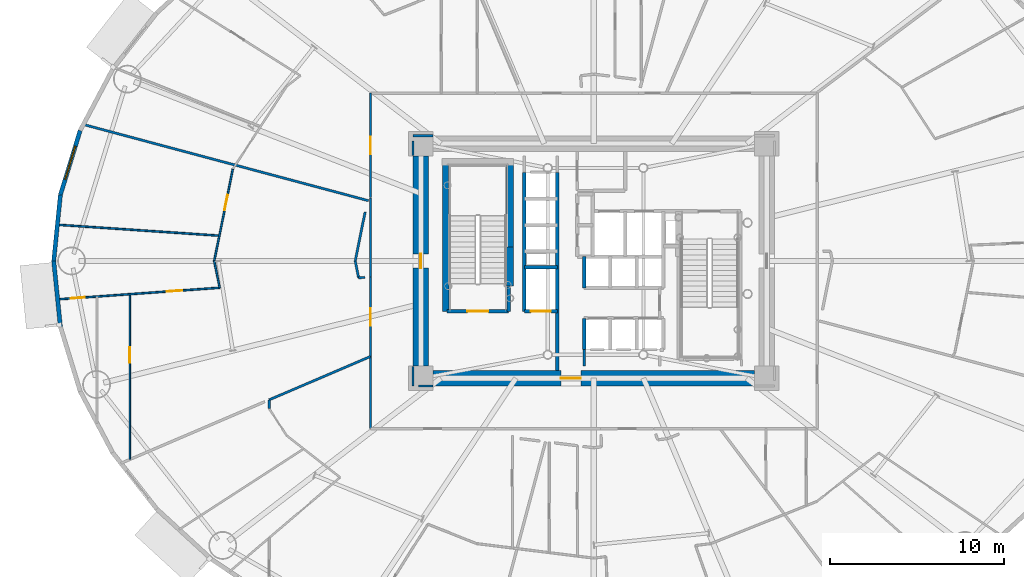
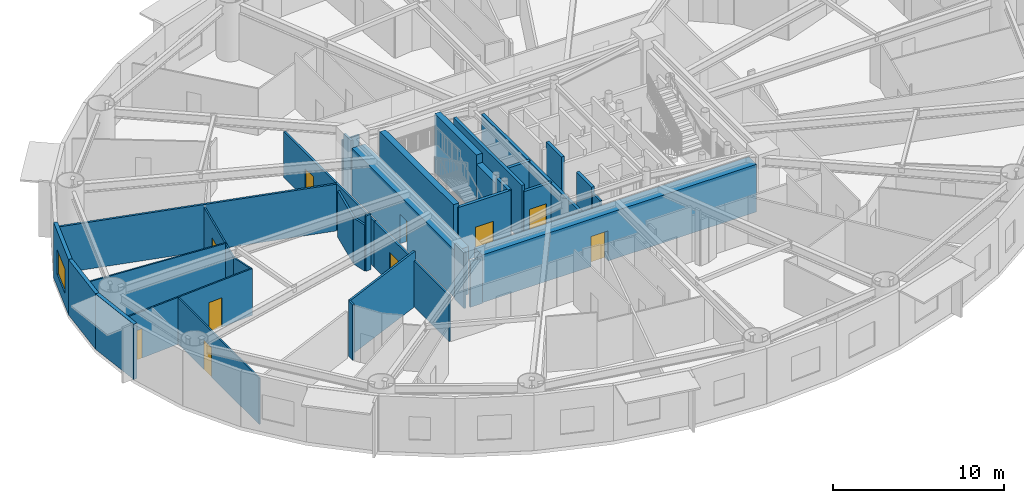
# One storey, part 11 of 24: 35 walls, 10 doors, 1 window, 11 openings.
"""IFC4 building model written with IfcOpenShell, lengths in metres."""

from ifc_helpers import new_model, si_unit, direction, frame, frame_2d, origin, origin_2d, place, context, subcontext, project, spatial, rectangle, extrude, source, transform, mapped, material, layer, layer_set, type_object, element, fill, save


model = new_model("IFC4")

# Units and contexts
model_context = context("Model", 3, precision=1e-05, world=origin(), true_north=direction((0.0, 1.0)))
body_context = subcontext(model_context, "Body", "Model", "MODEL_VIEW")
ifc_project = project(units=[si_unit("LENGTHUNIT", "METRE"), si_unit("AREAUNIT", "SQUARE_METRE"), si_unit("VOLUMEUNIT", "CUBIC_METRE"), si_unit("PLANEANGLEUNIT", "RADIAN"), si_unit("MASSUNIT", "GRAM", prefix="KILO")], contexts=[model_context])

# Site, building, storey
site_placement = place(None, origin())
site = spatial("IfcSite", under=ifc_project, at=site_placement, CompositionType="ELEMENT")
building_placement = place(site_placement, origin())
building = spatial("IfcBuilding", under=site, at=building_placement, Name="Linh Dai School and Residence Tower", CompositionType="ELEMENT")
storey_placement = place(building_placement, frame((0.0, 0.0, 74.39990234375)))
storey = spatial("IfcBuildingStorey", under=building, at=storey_placement, Name="L17", CompositionType="ELEMENT", Elevation=74.39990234375)

# Wall, opening, window
ifc_material_1 = material(Name="Precast Concrete B45 (C35/45)", Category="concrete")
ifc_layer_1 = layer(ifc_material_1, 0.239990234375)
ifc_layer_set_1 = layer_set([ifc_layer_1], Name="Precast Concrete B45 (C35/45)")
wall_type_1 = type_object("IfcWallType", Name="EW-TC-240", PredefinedType="SOLIDWALL", material=ifc_layer_set_1)
wall_1_placement = place(storey_placement, frame((5.306640625, 30.796875, 0.0), z_axis=(0.0, 0.0, 1.0), x_axis=(0.293111631758, 0.956078224482, 0.0)))
wall_1 = element("IfcWall", 1, at=wall_1_placement, inside=storey, type_object=wall_type_1, Name="L17 Terracotta Exterior Wall 19", PredefinedType="SOLIDWALL", context=body_context, shape_type="SweptSolid", body=[
    extrude(rectangle(XDim=3.874755859375, YDim=0.239990234375, at=frame_2d((1.9375, 0.0))), origin(), (0.0, 0.0, 1.0), 3.9501953125),
])
opening_1_placement = place(wall_1_placement, frame((0.9375, 0.0, 0.89990234375)))
opening_1 = element("IfcOpeningElement", 2, at=opening_1_placement, cuts=wall_1, Name="Opening W1", PredefinedType="OPENING", context=body_context, shape_type="SweptSolid", body=[
    extrude(rectangle(XDim=2.0, YDim=1.75, at=origin_2d()), frame((1.0, 0.1298828125, 0.875), z_axis=(0.0, -1.0, 0.0), x_axis=(1.0, 0.0, 0.0)), (0.0, 0.0, 1.0), 0.260009765625),
])
ifc_material_2 = material(Name="Double Low-E Insulated Glazing", Category="glass")
window_type = type_object("IfcWindowType", Name="WN-RES-2000x1750", PartitioningType="DOUBLE_PANEL_VERTICAL", PredefinedType="WINDOW", material=ifc_material_2)
shared_shape_1 = source(origin(), body_context, "Body", "SweptSolid", [
    extrude(rectangle(XDim=2.0, YDim=1.75, at=origin_2d()), frame((1.0, 0.030029296875, 0.875), z_axis=(0.0, -1.0, 0.0), x_axis=(1.0, 0.0, 0.0)), (0.0, 0.0, 1.0), 0.06005859375),
])
window_placement = place(opening_1_placement, origin())
window = element("IfcWindow", 3, at=window_placement, inside=storey, type_object=window_type, Name="L17 Exterior Window 19.1", OverallHeight=1.75, OverallWidth=2.0, PartitioningType="DOUBLE_PANEL_VERTICAL", PredefinedType="WINDOW", context=body_context, shape_type="MappedRepresentation", body=[
    mapped(shared_shape_1, transform((0.0, 0.0, 0.0), x_axis=(1.0, 0.0, 0.0), y_axis=(0.0, 1.0, 0.0), z_axis=(0.0, 0.0, 1.0), scale=1.0)),
])
fill(opening_1, window)

# Walls
for number, where, z_axis, x_axis, name in (
    (4, (4.925048828125, 27.0, 0.0), (0.0, 0.0, 1.0), (0.099997795174, 0.994987658698, 0.0), "L17 Terracotta Exterior Wall 20"),
    (5, (5.306640625, 23.203125, 0.0), (0.0, 0.0, 1.0), (-0.099997795174, 0.994987658698, 0.0), "L17 Terracotta Exterior Wall 21"),
):
    element("IfcWall", number, at=place(storey_placement, frame(where, z_axis=z_axis, x_axis=x_axis)), inside=storey, type_object=wall_type_1, Name=name, PredefinedType="SOLIDWALL", context=body_context, shape_type="SweptSolid", body=[
        extrude(rectangle(XDim=3.81591796875, YDim=0.239990234375, at=frame_2d((1.907958984375, 0.0))), origin(), (0.0, 0.0, 1.0), 3.9501953125),
    ])
ifc_material_3 = material(Name="Autoclaved Aerated Concrete Blockwork", Category="masonry")
ifc_layer_2 = layer(ifc_material_3, 0.135009765625)
ifc_layer_set_2 = layer_set([ifc_layer_2], Name="Autoclaved Aerated Concrete Blockwork")
wall_type_2 = type_object("IfcWallType", Name="IW-CORR-135-EI90", PredefinedType="PARTITIONING", material=ifc_layer_set_2)
wall_2_placement = place(storey_placement, frame((6.623046875, 34.853515625, 0.0), z_axis=(0.0, 0.0, 1.0), x_axis=(0.966073053026, -0.258268961003, 0.0)))
element("IfcWall", 6, at=wall_2_placement, inside=storey, type_object=wall_type_2, Name="L17 Interior Partition Wall 003", PredefinedType="PARTITIONING", context=body_context, shape_type="SweptSolid", body=[
    extrude(rectangle(XDim=16.99072265625, YDim=0.135009765625, at=frame_2d((8.495361328125, 0.0))), origin(), (0.0, 0.0, 1.0), 3.335205078125),
])
wall_3_placement = place(storey_placement, frame((17.3193359375, 19.007080078125, 0.0), z_axis=(0.0, 0.0, 1.0), x_axis=(0.919369884618, 0.393394223721, 0.0)))
element("IfcWall", 7, at=wall_3_placement, inside=storey, type_object=wall_type_2, Name="L17 Interior Partition Wall 016", PredefinedType="PARTITIONING", context=body_context, shape_type="SweptSolid", body=[
    extrude(rectangle(XDim=6.341796875, YDim=0.135009765625, at=frame_2d((3.1708984375, 0.0))), origin(), (0.0, 0.0, 1.0), 3.9501953125),
])

# Wall, opening, door
wall_4_placement = place(storey_placement, frame((23.14990234375, 17.35009765625, 0.0), z_axis=(0.0, 0.0, 1.0), x_axis=(0.0, 1.0, 0.0)))
wall_4 = element("IfcWall", 8, at=wall_4_placement, inside=storey, type_object=wall_type_2, Name="L17 Interior Partition Wall 022", PredefinedType="PARTITIONING", context=body_context, shape_type="SweptSolid", body=[
    extrude(rectangle(XDim=8.72900390625, YDim=0.135009765625, at=frame_2d((4.364501953125, 0.0))), origin(), (0.0, 0.0, 1.0), 3.28515625),
])
opening_2_placement = place(wall_4_placement, frame((5.920654296875, 0.0, 0.0)))
opening_2 = element("IfcOpeningElement", 9, at=opening_2_placement, cuts=wall_4, Name="Opening D03", PredefinedType="OPENING", context=body_context, shape_type="SweptSolid", body=[
    extrude(rectangle(XDim=1.0, YDim=2.14990234375, at=origin_2d()), frame((0.5, 0.07763671875, 1.074951171875), z_axis=(0.0, -1.0, 0.0), x_axis=(1.0, 0.0, 0.0)), (0.0, 0.0, 1.0), 0.155029296875),
])
ifc_material_4 = material(Name="Fire-Rated Solid Timber Entrance Door", Category="wood")
door_type_1 = type_object("IfcDoorType", Name="DR-FLAT-1000x2150-FD60S", OperationType="NOTDEFINED", PredefinedType="DOOR", material=ifc_material_4)
shared_shape_2 = source(origin(), body_context, "Body", "SweptSolid", [
    extrude(rectangle(XDim=1.0, YDim=2.14990234375, at=origin_2d()), frame((0.5, 0.02490234375, 1.074951171875), z_axis=(0.0, -1.0, 0.0), x_axis=(1.0, 0.0, 0.0)), (0.0, 0.0, 1.0), 0.050048828125),
])
door_1_placement = place(opening_2_placement, origin())
door_1 = element("IfcDoor", 10, at=door_1_placement, inside=storey, type_object=door_type_1, Name="L17 U1703 Apartment Entrance Door", OperationType="SINGLE_SWING_LEFT", OverallHeight=2.14990234375, OverallWidth=1.0, PredefinedType="DOOR", context=body_context, shape_type="MappedRepresentation", body=[
    mapped(shared_shape_2, transform((0.0, 0.0, 0.0), x_axis=(1.0, 0.0, 0.0), y_axis=(0.0, 1.0, 0.0), z_axis=(0.0, 0.0, 1.0), scale=1.0)),
])
fill(opening_2, door_1)

wall_5_placement = place(storey_placement, frame((23.14990234375, 30.638427734375, 0.0), z_axis=(0.0, 0.0, 1.0), x_axis=(0.0, 1.0, 0.0)))
wall_5 = element("IfcWall", 11, at=wall_5_placement, inside=storey, type_object=wall_type_2, Name="L17 Interior Partition Wall 024", PredefinedType="PARTITIONING", context=body_context, shape_type="SweptSolid", body=[
    extrude(rectangle(XDim=6.011474609375, YDim=0.135009765625, at=frame_2d((3.005859375, 0.0))), origin(), (0.0, 0.0, 1.0), 3.28515625),
])
opening_3_placement = place(wall_5_placement, frame((2.505859375, 0.0, 0.0)))
opening_3 = element("IfcOpeningElement", 12, at=opening_3_placement, cuts=wall_5, Name="Opening D03", PredefinedType="OPENING", context=body_context, shape_type="SweptSolid", body=[
    extrude(rectangle(XDim=1.0, YDim=2.14990234375, at=origin_2d()), frame((0.5, 0.07763671875, 1.074951171875), z_axis=(0.0, -1.0, 0.0), x_axis=(1.0, 0.0, 0.0)), (0.0, 0.0, 1.0), 0.155029296875),
])
door_2_placement = place(opening_3_placement, origin())
door_2 = element("IfcDoor", 13, at=door_2_placement, inside=storey, type_object=door_type_1, Name="L17 U1702 Apartment Entrance Door", OperationType="SINGLE_SWING_LEFT", OverallHeight=2.14990234375, OverallWidth=1.0, PredefinedType="DOOR", context=body_context, shape_type="MappedRepresentation", body=[
    mapped(shared_shape_2, transform((0.0, 0.0, 0.0), x_axis=(1.0, 0.0, 0.0), y_axis=(0.0, 1.0, 0.0), z_axis=(0.0, 0.0, 1.0), scale=1.0)),
])
fill(opening_3, door_2)

# Walls
wall_6_placement = place(storey_placement, frame((35.449951171875, 21.889892578125, 0.0), z_axis=(0.0, 0.0, 1.0), x_axis=(0.0, -1.0, 0.0)))
element("IfcWall", 14, at=wall_6_placement, inside=storey, type_object=wall_type_2, Name="L17 Interior Partition Wall 119", PredefinedType="PARTITIONING", context=body_context, shape_type="SweptSolid", body=[
    extrude(rectangle(XDim=0.929931640625, YDim=0.135009765625, at=frame_2d((0.46484375, 0.0))), origin(), (0.0, 0.0, 1.0), 3.53515625),
])
wall_7_placement = place(storey_placement, frame((23.14990234375, 26.089111328125, 0.0), z_axis=(0.0, 0.0, 1.0), x_axis=(0.0, 1.0, 0.0)))
element("IfcWall", 15, at=wall_7_placement, inside=storey, type_object=wall_type_2, Name="L17 Interior Partition Wall 126", PredefinedType="PARTITIONING", context=body_context, shape_type="SweptSolid", body=[
    extrude(rectangle(XDim=4.539306640625, YDim=0.135009765625, at=frame_2d((2.26953125, 0.0))), origin(), (0.0, 0.0, 1.0), 3.28515625),
])
wall_8_placement = place(storey_placement, frame((26.739990234375, 34.199951171875, 0.0), z_axis=(0.0, 0.0, 1.0), x_axis=(-1.0, 0.0, 0.0)))
element("IfcWall", 16, at=wall_8_placement, inside=storey, type_object=wall_type_2, Name="L17 Interior Partition Wall 128", PredefinedType="PARTITIONING", context=body_context, shape_type="SweptSolid", body=[
    extrude(rectangle(XDim=1.139892578125, YDim=0.135009765625, at=frame_2d((0.56982421875, 0.0))), origin(), (0.0, 0.0, 1.0), 3.28515625),
])
wall_9_placement = place(storey_placement, frame((25.60009765625, 33.892578125, 0.0), z_axis=(0.0, 0.0, 1.0), x_axis=(0.0, -1.0, 0.0)))
element("IfcWall", 17, at=wall_9_placement, inside=storey, type_object=wall_type_2, Name="L17 Interior Partition Wall 129", PredefinedType="PARTITIONING", context=body_context, shape_type="SweptSolid", body=[
    extrude(rectangle(XDim=0.83251953125, YDim=0.135009765625, at=frame_2d((0.416259765625, 0.0))), origin(), (0.0, 0.0, 1.0), 3.9501953125),
])
wall_10_placement = place(storey_placement, frame((25.60009765625, 20.93994140625, 0.0), z_axis=(0.0, 0.0, 1.0), x_axis=(0.0, -1.0, 0.0)))
element("IfcWall", 18, at=wall_10_placement, inside=storey, type_object=wall_type_2, Name="L17 Interior Partition Wall 130", PredefinedType="PARTITIONING", context=body_context, shape_type="SweptSolid", body=[
    extrude(rectangle(XDim=1.139892578125, YDim=0.135009765625, at=frame_2d((0.56982421875, 0.0))), origin(), (0.0, 0.0, 1.0), 3.9501953125),
])
wall_11_placement = place(storey_placement, frame((25.907470703125, 19.800048828125, 0.0), z_axis=(0.0, 0.0, 1.0), x_axis=(1.0, 0.0, 0.0)))
element("IfcWall", 19, at=wall_11_placement, inside=storey, type_object=wall_type_2, Name="L17 Interior Partition Wall 131", PredefinedType="PARTITIONING", context=body_context, shape_type="SweptSolid", body=[
    extrude(rectangle(XDim=0.83251953125, YDim=0.135009765625, at=frame_2d((0.416259765625, 0.0))), origin(), (0.0, 0.0, 1.0), 3.28515625),
])
wall_12_placement = place(storey_placement, frame((22.842529296875, 29.8203125, 0.0), z_axis=(0.0, 0.0, 1.0), x_axis=(-0.19828576171, -0.980144253007, 0.0)))
element("IfcWall", 20, at=wall_12_placement, inside=storey, type_object=wall_type_2, Name="L17 Interior Partition Wall 140", PredefinedType="PARTITIONING", context=body_context, shape_type="SweptSolid", body=[
    extrude(rectangle(XDim=2.87744140625, YDim=0.135009765625, at=frame_2d((1.438720703125, 0.0))), origin(), (0.0, 0.0, 1.0), 3.28515625),
])
wall_13_placement = place(storey_placement, frame((22.27197265625, 27.0, 0.0), z_axis=(0.0, 0.0, 1.0), x_axis=(0.1983933715, -0.980122477114, 0.0)))
element("IfcWall", 21, at=wall_13_placement, inside=storey, type_object=wall_type_2, Name="L17 Interior Partition Wall 141", PredefinedType="PARTITIONING", context=body_context, shape_type="SweptSolid", body=[
    extrude(rectangle(XDim=0.989501953125, YDim=0.135009765625, at=frame_2d((0.49462890625, 0.0))), origin(), (0.0, 0.0, 1.0), 3.28515625),
])
wall_14_placement = place(storey_placement, frame((22.46826171875, 26.0302734375, 0.0), z_axis=(0.0, 0.0, 1.0), x_axis=(0.997441222806, 0.071491307493, 0.0)))
element("IfcWall", 22, at=wall_14_placement, inside=storey, type_object=wall_type_2, Name="L17 Interior Partition Wall 142", PredefinedType="PARTITIONING", context=body_context, shape_type="SweptSolid", body=[
    extrude(rectangle(XDim=0.355224609375, YDim=0.135009765625, at=frame_2d((0.177734375, 0.0))), origin(), (0.0, 0.0, 1.0), 3.9501953125),
])
wall_15_placement = place(storey_placement, frame((17.3193359375, 18.503173828125, 0.0), z_axis=(0.0, 0.0, 1.0), x_axis=(0.0, 1.0, 0.0)))
element("IfcWall", 23, at=wall_15_placement, inside=storey, type_object=wall_type_2, Name="L17 Interior Partition Wall 143", PredefinedType="PARTITIONING", context=body_context, shape_type="SweptSolid", body=[
    extrude(rectangle(XDim=0.50390625, YDim=0.135009765625, at=frame_2d((0.251953125, 0.0))), origin(), (0.0, 0.0, 1.0), 3.9501953125),
])

# Wall, opening, door
ifc_material_5 = material(Name="Concrete B45 (C35/45)", Category="concrete")
ifc_layer_3 = layer(ifc_material_5, 0.199951171875)
ifc_layer_set_3 = layer_set([ifc_layer_3], Name="Concrete B45 (C35/45)")
wall_type_3 = type_object("IfcWallType", Name="IW-SHAFT-200-EI120", PredefinedType="PARTITIONING", material=ifc_layer_set_3)
wall_16_placement = place(storey_placement, frame((27.56005859375, 24.10009765625, 0.0), z_axis=(0.0, 0.0, 1.0), x_axis=(1.0, 0.0, 0.0)))
wall_16 = element("IfcWall", 24, at=wall_16_placement, inside=storey, type_object=wall_type_3, Name="L17 Interior Partition Wall 030", PredefinedType="PARTITIONING", context=body_context, shape_type="SweptSolid", body=[
    extrude(rectangle(XDim=3.5400390625, YDim=0.199951171875, at=frame_2d((1.77001953125, 0.0))), origin(), (0.0, 0.0, 1.0), 3.9501953125),
])
opening_4_placement = place(wall_16_placement, frame((1.169921875, 0.0, 0.0)))
opening_4 = element("IfcOpeningElement", 25, at=opening_4_placement, cuts=wall_16, Name="Opening D01", PredefinedType="OPENING", context=body_context, shape_type="SweptSolid", body=[
    extrude(rectangle(XDim=1.199951171875, YDim=2.14990234375, at=origin_2d()), frame((0.60009765625, 0.10986328125, 1.074951171875), z_axis=(0.0, -1.0, 0.0), x_axis=(1.0, 0.0, 0.0)), (0.0, 0.0, 1.0), 0.219970703125),
])
ifc_material_6 = material(Name="Fire-Rated Steel Door Leaf", Category="steel")
door_type_2 = type_object("IfcDoorType", Name="DR-STAIR-1200x2150-FD90S", OperationType="NOTDEFINED", PredefinedType="DOOR", material=ifc_material_6)
shared_shape_3 = source(origin(), body_context, "Body", "SweptSolid", [
    extrude(rectangle(XDim=1.199951171875, YDim=2.14990234375, at=origin_2d()), frame((0.60009765625, 0.02490234375, 1.074951171875), z_axis=(0.0, -1.0, 0.0), x_axis=(1.0, 0.0, 0.0)), (0.0, 0.0, 1.0), 0.050048828125),
])
door_3_placement = place(opening_4_placement, origin())
door_3 = element("IfcDoor", 26, at=door_3_placement, inside=storey, type_object=door_type_2, Name="L17 Core Smokeproof Exit Stair ST1 Door", OperationType="SINGLE_SWING_LEFT", OverallHeight=2.14990234375, OverallWidth=1.199951171875, PredefinedType="DOOR", context=body_context, shape_type="MappedRepresentation", body=[
    mapped(shared_shape_3, transform((0.0, 0.0, 0.0), x_axis=(1.0, 0.0, 0.0), y_axis=(0.0, 1.0, 0.0), z_axis=(0.0, 0.0, 1.0), scale=1.0)),
])
fill(opening_4, door_3)

# Walls
wall_17_placement = place(storey_placement, frame((31.10009765625, 24.10009765625, 0.0), z_axis=(0.0, 0.0, 1.0), x_axis=(0.0, 1.0, 0.0)))
element("IfcWall", 27, at=wall_17_placement, inside=storey, type_object=wall_type_3, Name="L17 Interior Partition Wall 034", PredefinedType="PARTITIONING", context=body_context, shape_type="SweptSolid", body=[
    extrude(rectangle(XDim=1.43994140625, YDim=0.199951171875, at=frame_2d((0.719970703125, 0.0))), origin(), (0.0, 0.0, 1.0), 3.9501953125),
])
wall_18_placement = place(storey_placement, frame((32.0, 24.10009765625, 0.0), z_axis=(0.0, 0.0, 1.0), x_axis=(0.0, 1.0, 0.0)))
element("IfcWall", 28, at=wall_18_placement, inside=storey, type_object=wall_type_3, Name="L17 Interior Partition Wall 037", PredefinedType="PARTITIONING", context=body_context, shape_type="SweptSolid", body=[
    extrude(rectangle(XDim=8.0, YDim=0.199951171875, at=frame_2d((4.0, 0.0))), origin(), (0.0, 0.0, 1.0), 3.9501953125),
])

# Wall, opening, door
wall_19_placement = place(storey_placement, frame((32.0, 24.10009765625, 0.0), z_axis=(0.0, 0.0, 1.0), x_axis=(1.0, 0.0, 0.0)))
wall_19 = element("IfcWall", 29, at=wall_19_placement, inside=storey, type_object=wall_type_3, Name="L17 Interior Partition Wall 038", PredefinedType="PARTITIONING", context=body_context, shape_type="SweptSolid", body=[
    extrude(rectangle(XDim=1.89990234375, YDim=0.199951171875, at=frame_2d((0.949951171875, 0.0))), origin(), (0.0, 0.0, 1.0), 3.53515625),
])
opening_5_placement = place(wall_19_placement, frame((0.375, 0.0, 0.0)))
opening_5 = element("IfcOpeningElement", 30, at=opening_5_placement, cuts=wall_19, Name="Opening LD-FF2", PredefinedType="OPENING", context=body_context, shape_type="SweptSolid", body=[
    extrude(rectangle(XDim=1.14990234375, YDim=2.14990234375, at=origin_2d()), frame((0.574951171875, 0.10986328125, 1.074951171875), z_axis=(0.0, -1.0, 0.0), x_axis=(1.0, 0.0, 0.0)), (0.0, 0.0, 1.0), 0.219970703125),
])
ifc_material_7 = material(Name="Fire-Rated Stainless Steel Firefighting Lift Door", Category="steel")
door_type_3 = type_object("IfcDoorType", Name="DR-LD-FF-1150x2150-FD120", OperationType="DOUBLE_DOOR_SLIDING", PredefinedType="USERDEFINED", material=ifc_material_7)
shared_shape_4 = source(origin(), body_context, "Body", "SweptSolid", [
    extrude(rectangle(XDim=1.14990234375, YDim=2.14990234375, at=origin_2d()), frame((0.574951171875, 0.02490234375, 1.074951171875), z_axis=(0.0, -1.0, 0.0), x_axis=(1.0, 0.0, 0.0)), (0.0, 0.0, 1.0), 0.050048828125),
])
door_4_placement = place(opening_5_placement, origin())
door_4 = element("IfcDoor", 31, at=door_4_placement, inside=storey, type_object=door_type_3, Name="L17 Lift FF2 Sliding Landing Door", ObjectType="LANDING DOOR", OperationType="DOUBLE_DOOR_SLIDING", OverallHeight=2.14990234375, OverallWidth=1.14990234375, PredefinedType="USERDEFINED", context=body_context, shape_type="MappedRepresentation", body=[
    mapped(shared_shape_4, transform((0.0, 0.0, 0.0), x_axis=(1.0, 0.0, 0.0), y_axis=(0.0, 1.0, 0.0), z_axis=(0.0, 0.0, 1.0), scale=1.0)),
])
fill(opening_5, door_4)

# Walls
wall_20_placement = place(storey_placement, frame((32.0, 26.64990234375, 0.0), z_axis=(0.0, 0.0, 1.0), x_axis=(1.0, 0.0, 0.0)))
element("IfcWall", 32, at=wall_20_placement, inside=storey, type_object=wall_type_3, Name="L17 Interior Partition Wall 039", PredefinedType="PARTITIONING", context=body_context, shape_type="SweptSolid", body=[
    extrude(rectangle(XDim=1.89990234375, YDim=0.199951171875, at=frame_2d((0.949951171875, 0.0))), origin(), (0.0, 0.0, 1.0), 3.53515625),
])
wall_21_placement = place(storey_placement, frame((33.89990234375, 20.699951171875, 0.0), z_axis=(0.0, 0.0, 1.0), x_axis=(0.0, 1.0, 0.0)))
element("IfcWall", 33, at=wall_21_placement, inside=storey, type_object=wall_type_3, Name="L17 Interior Partition Wall 044", PredefinedType="PARTITIONING", context=body_context, shape_type="SweptSolid", body=[
    extrude(rectangle(XDim=11.400146484375, YDim=0.199951171875, at=frame_2d((5.7001953125, 0.0))), origin(), (0.0, 0.0, 1.0), 3.53515625),
])
for number, where, z_axis, x_axis, name in (
    (34, (35.449951171875, 21.89990234375, 0.0), (0.0, 0.0, 1.0), (0.0, 1.0, 0.0), "L17 Interior Partition Wall 054"),
    (35, (35.449951171875, 25.449951171875, 0.0), (0.0, 0.0, 1.0), (0.0, 1.0, 0.0), "L17 Interior Partition Wall 056"),
):
    element("IfcWall", number, at=place(storey_placement, frame(where, z_axis=z_axis, x_axis=x_axis)), inside=storey, type_object=wall_type_3, Name=name, PredefinedType="PARTITIONING", context=body_context, shape_type="SweptSolid", body=[
        extrude(rectangle(XDim=1.800048828125, YDim=0.199951171875, at=frame_2d((0.89990234375, 0.0))), origin(), (0.0, 0.0, 1.0), 3.9501953125),
    ])
ifc_material_8 = material(Name="Gypsum Plasterboard Acoustic Stud Partition", Category="masonry")
ifc_layer_4 = layer(ifc_material_8, 0.10009765625)
ifc_layer_set_4 = layer_set([ifc_layer_4], Name="Gypsum Plasterboard Acoustic Stud Partition")
wall_type_4 = type_object("IfcWallType", Name="IW-UNIT-100", PredefinedType="PARTITIONING", material=ifc_layer_set_4)
wall_22_placement = place(storey_placement, frame((5.12939453125, 29.08251953125, 0.0), z_axis=(0.0, 0.0, 1.0), x_axis=(0.997731551972, -0.067318275369, 0.0)))
element("IfcWall", 36, at=wall_22_placement, inside=storey, type_object=wall_type_4, Name="L17 Interior Partition Wall 001", PredefinedType="PARTITIONING", context=body_context, shape_type="SweptSolid", body=[
    extrude(rectangle(XDim=9.345947265625, YDim=0.10009765625, at=frame_2d((4.6728515625, 0.0))), origin(), (0.0, 0.0, 1.0), 3.335205078125),
])

# Wall, openings, doors
wall_23_placement = place(storey_placement, frame((5.142333984375, 24.788818359375, 0.0), z_axis=(0.0, 0.0, 1.0), x_axis=(0.997443041409, 0.071465929957, 0.0)))
wall_23 = element("IfcWall", 37, at=wall_23_placement, inside=storey, type_object=wall_type_4, Name="L17 Interior Partition Wall 002", PredefinedType="PARTITIONING", context=body_context, shape_type="SweptSolid", body=[
    extrude(rectangle(XDim=9.353515625, YDim=0.10009765625, at=frame_2d((4.6767578125, 0.0))), origin(), (0.0, 0.0, 1.0), 3.335205078125),
])
opening_6_placement = place(wall_23_placement, frame((6.29345703125, 0.0, 0.0)))
opening_6 = element("IfcOpeningElement", 38, at=opening_6_placement, cuts=wall_23, Name="Opening D05", PredefinedType="OPENING", context=body_context, shape_type="SweptSolid", body=[
    extrude(rectangle(XDim=0.89990234375, YDim=2.10009765625, at=origin_2d()), frame((0.449951171875, 0.06005859375, 1.050048828125), z_axis=(0.0, -1.0, 0.0), x_axis=(1.0, 0.0, 0.0)), (0.0, 0.0, 1.0), 0.1201171875),
])
opening_7_placement = place(wall_23_placement, frame((0.750244140625, 0.0, 0.0)))
opening_7 = element("IfcOpeningElement", 39, at=opening_7_placement, cuts=wall_23, Name="Opening D06", PredefinedType="OPENING", context=body_context, shape_type="SweptSolid", body=[
    extrude(rectangle(XDim=0.820068359375, YDim=2.10009765625, at=origin_2d()), frame((0.41015625, 0.06005859375, 1.050048828125), z_axis=(0.0, -1.0, 0.0), x_axis=(1.0, 0.0, 0.0)), (0.0, 0.0, 1.0), 0.1201171875),
])
ifc_material_9 = material(Name="Moisture-Resistant Timber Bathroom Door", Category="wood")
door_type_4 = type_object("IfcDoorType", Name="DR-WET-820x2100", OperationType="NOTDEFINED", PredefinedType="DOOR", material=ifc_material_9)
shared_shape_5 = source(origin(), body_context, "Body", "SweptSolid", [
    extrude(rectangle(XDim=0.820068359375, YDim=2.10009765625, at=origin_2d()), frame((0.41015625, 0.02490234375, 1.050048828125), z_axis=(0.0, -1.0, 0.0), x_axis=(1.0, 0.0, 0.0)), (0.0, 0.0, 1.0), 0.050048828125),
])
door_5_placement = place(opening_7_placement, origin())
door_5 = element("IfcDoor", 40, at=door_5_placement, inside=storey, type_object=door_type_4, Name="L17 Apartment U1703 Bathroom 1 Door", OperationType="SINGLE_SWING_RIGHT", OverallHeight=2.10009765625, OverallWidth=0.820068359375, PredefinedType="DOOR", context=body_context, shape_type="MappedRepresentation", body=[
    mapped(shared_shape_5, transform((0.0, 0.0, 0.0), x_axis=(1.0, 0.0, 0.0), y_axis=(0.0, 1.0, 0.0), z_axis=(0.0, 0.0, 1.0), scale=1.0)),
])
fill(opening_7, door_5)
ifc_material_10 = material(Name="Engineered Timber Internal Door", Category="wood")
door_type_5 = type_object("IfcDoorType", Name="DR-INT-900x2100", OperationType="NOTDEFINED", PredefinedType="DOOR", material=ifc_material_10)
shared_shape_6 = source(origin(), body_context, "Body", "SweptSolid", [
    extrude(rectangle(XDim=0.89990234375, YDim=2.10009765625, at=origin_2d()), frame((0.449951171875, 0.02490234375, 1.050048828125), z_axis=(0.0, -1.0, 0.0), x_axis=(1.0, 0.0, 0.0)), (0.0, 0.0, 1.0), 0.050048828125),
])
door_6_placement = place(opening_6_placement, origin())
door_6 = element("IfcDoor", 41, at=door_6_placement, inside=storey, type_object=door_type_5, Name="L17 Apartment U1703 Study Door", OperationType="SINGLE_SWING_LEFT", OverallHeight=2.10009765625, OverallWidth=0.89990234375, PredefinedType="DOOR", context=body_context, shape_type="MappedRepresentation", body=[
    mapped(shared_shape_6, transform((0.0, 0.0, 0.0), x_axis=(1.0, 0.0, 0.0), y_axis=(0.0, 1.0, 0.0), z_axis=(0.0, 0.0, 1.0), scale=1.0)),
])
fill(opening_6, door_6)

# Wall, opening, door
wall_24_placement = place(storey_placement, frame((9.3046875, 15.577880859375, 0.0), z_axis=(0.0, 0.0, 1.0), x_axis=(0.0, 1.0, 0.0)))
wall_24 = element("IfcWall", 42, at=wall_24_placement, inside=storey, type_object=wall_type_4, Name="L17 Interior Partition Wall 007", PredefinedType="PARTITIONING", context=body_context, shape_type="SweptSolid", body=[
    extrude(rectangle(XDim=9.50927734375, YDim=0.10009765625, at=frame_2d((4.754638671875, 0.0))), origin(), (0.0, 0.0, 1.0), 3.28515625),
])
opening_8_placement = place(wall_24_placement, frame((5.559814453125, 0.0, 0.0)))
opening_8 = element("IfcOpeningElement", 43, at=opening_8_placement, cuts=wall_24, Name="Opening D05", PredefinedType="OPENING", context=body_context, shape_type="SweptSolid", body=[
    extrude(rectangle(XDim=0.89990234375, YDim=2.10009765625, at=origin_2d()), frame((0.449951171875, 0.06005859375, 1.050048828125), z_axis=(0.0, -1.0, 0.0), x_axis=(1.0, 0.0, 0.0)), (0.0, 0.0, 1.0), 0.1201171875),
])
door_7_placement = place(opening_8_placement, origin())
door_7 = element("IfcDoor", 44, at=door_7_placement, inside=storey, type_object=door_type_5, Name="L17 Apartment U1703 Kitchen Door", OperationType="SINGLE_SWING_LEFT", OverallHeight=2.10009765625, OverallWidth=0.89990234375, PredefinedType="DOOR", context=body_context, shape_type="MappedRepresentation", body=[
    mapped(shared_shape_6, transform((0.0, 0.0, 0.0), x_axis=(1.0, 0.0, 0.0), y_axis=(0.0, 1.0, 0.0), z_axis=(0.0, 0.0, 1.0), scale=1.0)),
])
fill(opening_8, door_7)

# Wall
wall_25_placement = place(storey_placement, frame((14.159912109375, 27.0, 0.0), z_axis=(0.0, 0.0, 1.0), x_axis=(0.198233557602, -0.980154812588, 0.0)))
element("IfcWall", 45, at=wall_25_placement, inside=storey, type_object=wall_type_4, Name="L17 Interior Partition Wall 010", PredefinedType="PARTITIONING", context=body_context, shape_type="SweptSolid", body=[
    extrude(rectangle(XDim=1.573974609375, YDim=0.10009765625, at=frame_2d((0.787109375, 0.0))), origin(), (0.0, 0.0, 1.0), 3.28515625),
])

# Wall, opening, door
wall_26_placement = place(storey_placement, frame((14.159912109375, 27.0, 0.0), z_axis=(0.0, 0.0, 1.0), x_axis=(0.198292702032, 0.980142848936, 0.0)))
wall_26 = element("IfcWall", 46, at=wall_26_placement, inside=storey, type_object=wall_type_4, Name="L17 Interior Partition Wall 011", PredefinedType="PARTITIONING", context=body_context, shape_type="SweptSolid", body=[
    extrude(rectangle(XDim=5.3916015625, YDim=0.10009765625, at=frame_2d((2.69580078125, 0.0))), origin(), (0.0, 0.0, 1.0), 3.28515625),
])
opening_9_placement = place(wall_26_placement, frame((2.96728515625, 0.0, 0.0)))
opening_9 = element("IfcOpeningElement", 47, at=opening_9_placement, cuts=wall_26, Name="Opening D05", PredefinedType="OPENING", context=body_context, shape_type="SweptSolid", body=[
    extrude(rectangle(XDim=0.89990234375, YDim=2.10009765625, at=origin_2d()), frame((0.449951171875, 0.06005859375, 1.050048828125), z_axis=(0.0, -1.0, 0.0), x_axis=(1.0, 0.0, 0.0)), (0.0, 0.0, 1.0), 0.1201171875),
])
door_8_placement = place(opening_9_placement, origin())
door_8 = element("IfcDoor", 48, at=door_8_placement, inside=storey, type_object=door_type_5, Name="L17 Apartment U1703 Principal Bedroom 1 Door", OperationType="SINGLE_SWING_RIGHT", OverallHeight=2.10009765625, OverallWidth=0.89990234375, PredefinedType="DOOR", context=body_context, shape_type="MappedRepresentation", body=[
    mapped(shared_shape_6, transform((0.0, 0.0, 0.0), x_axis=(1.0, 0.0, 0.0), y_axis=(0.0, 1.0, 0.0), z_axis=(0.0, 0.0, 1.0), scale=1.0)),
])
fill(opening_9, door_8)

# Walls
ifc_layer_5 = layer(ifc_material_5, 0.39990234375)
ifc_layer_set_5 = layer_set([ifc_layer_5], Name="Concrete B45 (C35/45)")
wall_type_5 = type_object("IfcWallType", Name="WL-CORE400", PredefinedType="SHEAR", material=ifc_layer_set_5)
wall_27_placement = place(storey_placement, frame((27.47998046875, 24.10009765625, 0.0), z_axis=(0.0, 0.0, 1.0), x_axis=(0.0, 1.0, 0.0)))
element("IfcWall", 49, at=wall_27_placement, inside=storey, type_object=wall_type_5, Name="L17 Core Stair ST1 Bearing Wall W", PredefinedType="SHEAR", context=body_context, shape_type="SweptSolid", body=[
    extrude(rectangle(XDim=8.599853515625, YDim=0.39990234375, at=frame_2d((4.2998046875, 0.0))), origin(), (0.0, 0.0, 1.0), 4.2001953125),
])
wall_28_placement = place(storey_placement, frame((31.179931640625, 27.800048828125, 0.0), z_axis=(0.0, 0.0, 1.0), x_axis=(0.0, 1.0, 0.0)))
element("IfcWall", 50, at=wall_28_placement, inside=storey, type_object=wall_type_5, Name="L17 Core Stair ST1 Bearing Wall E", PredefinedType="SHEAR", context=body_context, shape_type="SweptSolid", body=[
    extrude(rectangle(XDim=4.89990234375, YDim=0.39990234375, at=frame_2d((2.449951171875, 0.0))), origin(), (0.0, 0.0, 1.0), 4.2001953125),
])
wall_29_placement = place(storey_placement, frame((31.179931640625, 25.550048828125, 0.0), z_axis=(0.0, 0.0, 1.0), x_axis=(0.0, 1.0, 0.0)))
element("IfcWall", 51, at=wall_29_placement, inside=storey, type_object=wall_type_5, Name="L17 Internal Core Shear Wall IW", PredefinedType="SHEAR", context=body_context, shape_type="SweptSolid", body=[
    extrude(rectangle(XDim=2.25, YDim=0.39990234375, at=frame_2d((1.125, 0.0))), origin(), (0.0, 0.0, 1.0), 3.550048828125),
])

# Wall, opening, door
ifc_material_11 = material(Name="Concrete B60 (C50/60)", Category="concrete")
ifc_layer_6 = layer(ifc_material_11, 0.89990234375)
ifc_layer_set_6 = layer_set([ifc_layer_6], Name="Concrete B60 (C50/60)")
wall_type_6 = type_object("IfcWallType", Name="WL-CORE900", PredefinedType="SHEAR", material=ifc_layer_set_6)
wall_30_placement = place(storey_placement, frame((45.25, 20.25, 0.0), z_axis=(0.0, 0.0, 1.0), x_axis=(-1.0, 0.0, 0.0)))
wall_30 = element("IfcWall", 52, at=wall_30_placement, inside=storey, type_object=wall_type_6, Name="L17 Central Core Shear Wall S", PredefinedType="SHEAR", context=body_context, shape_type="SweptSolid", body=[
    extrude(rectangle(XDim=18.5, YDim=0.89990234375, at=frame_2d((9.25, 0.0))), origin(), (0.0, 0.0, 1.0), 3.400146484375),
])
opening_10_placement = place(wall_30_placement, frame((10.0, 0.0, 0.0)))
opening_10 = element("IfcOpeningElement", 53, at=opening_10_placement, cuts=wall_30, Name="Opening D02", PredefinedType="OPENING", context=body_context, shape_type="SweptSolid", body=[
    extrude(rectangle(XDim=1.14990234375, YDim=2.14990234375, at=origin_2d()), frame((0.574951171875, 0.4599609375, 1.074951171875), z_axis=(0.0, -1.0, 0.0), x_axis=(1.0, 0.0, 0.0)), (0.0, 0.0, 1.0), 0.919921875),
])
ifc_material_12 = material(Name="Fire-Rated Glazed Steel Lobby Door", Category="steel")
door_type_6 = type_object("IfcDoorType", Name="DR-LOBBY-1150x2150-FD90S", OperationType="NOTDEFINED", PredefinedType="DOOR", material=ifc_material_12)
shared_shape_7 = source(origin(), body_context, "Body", "SweptSolid", [
    extrude(rectangle(XDim=1.14990234375, YDim=2.14990234375, at=origin_2d()), frame((0.574951171875, 0.02490234375, 1.074951171875), z_axis=(0.0, -1.0, 0.0), x_axis=(1.0, 0.0, 0.0)), (0.0, 0.0, 1.0), 0.050048828125),
])
door_9_placement = place(opening_10_placement, origin())
door_9 = element("IfcDoor", 54, at=door_9_placement, inside=storey, type_object=door_type_6, Name="L17 Passenger Foyer Access Door", OperationType="SINGLE_SWING_RIGHT", OverallHeight=2.14990234375, OverallWidth=1.14990234375, PredefinedType="DOOR", context=body_context, shape_type="MappedRepresentation", body=[
    mapped(shared_shape_7, transform((0.0, 0.0, 0.0), x_axis=(1.0, 0.0, 0.0), y_axis=(0.0, 1.0, 0.0), z_axis=(0.0, 0.0, 1.0), scale=1.0)),
])
fill(opening_10, door_9)

wall_31_placement = place(storey_placement, frame((26.050048828125, 20.949951171875, 0.0), z_axis=(0.0, 0.0, 1.0), x_axis=(0.0, 1.0, 0.0)))
wall_31 = element("IfcWall", 55, at=wall_31_placement, inside=storey, type_object=wall_type_6, Name="L17 Central Core Shear Wall W", PredefinedType="SHEAR", context=body_context, shape_type="SweptSolid", body=[
    extrude(rectangle(XDim=12.10009765625, YDim=0.89990234375, at=frame_2d((6.050048828125, 0.0))), origin(), (0.0, 0.0, 1.0), 3.400146484375),
])
opening_11_placement = place(wall_31_placement, frame((5.639892578125, 0.0, 0.0)))
opening_11 = element("IfcOpeningElement", 56, at=opening_11_placement, cuts=wall_31, Name="Opening D06", PredefinedType="OPENING", context=body_context, shape_type="SweptSolid", body=[
    extrude(rectangle(XDim=0.820068359375, YDim=2.10009765625, at=origin_2d()), frame((0.41015625, 0.4599609375, 1.050048828125), z_axis=(0.0, -1.0, 0.0), x_axis=(1.0, 0.0, 0.0)), (0.0, 0.0, 1.0), 0.919921875),
])
door_10_placement = place(opening_11_placement, origin())
door_10 = element("IfcDoor", 57, at=door_10_placement, inside=storey, type_object=door_type_4, Name="L17 Firefighting Lobby Door", OperationType="SINGLE_SWING_RIGHT", OverallHeight=2.10009765625, OverallWidth=0.820068359375, PredefinedType="DOOR", context=body_context, shape_type="MappedRepresentation", body=[
    mapped(shared_shape_5, transform((0.0, 0.0, 0.0), x_axis=(1.0, 0.0, 0.0), y_axis=(0.0, 1.0, 0.0), z_axis=(0.0, 0.0, 1.0), scale=1.0)),
])
fill(opening_11, door_10)

save(model, "model.ifc")
